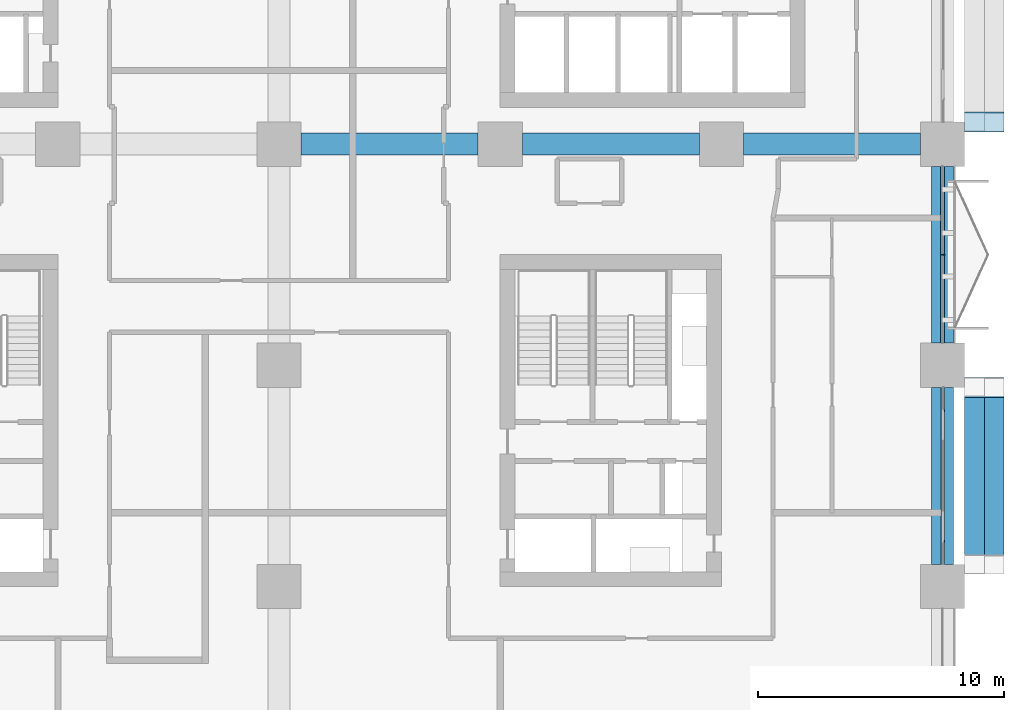
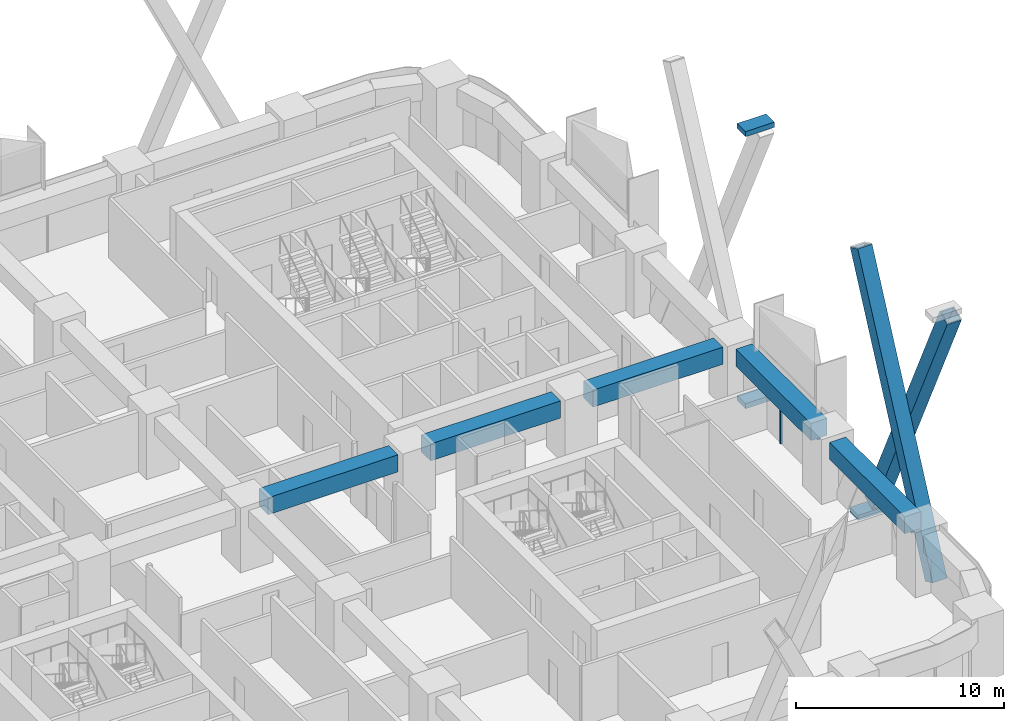
# One storey, part 5 of 23: 8 members, 5 beams, 2 elements without a shape of their own.
"""IFC4 building model written with IfcOpenShell, lengths in metres."""

from ifc_helpers import new_model, si_unit, direction, frame, origin, origin_2d, place, context, subcontext, project, spatial, rectangle, hollow_rectangle, extrude, material, layer, layer_set, material_profile, profile_set, type_object, element, aggregate, save


model = new_model("IFC4")

# Units and contexts
model_context = context("Model", 3, precision=1e-05, world=origin(), true_north=direction((0.0, 1.0)))
body_context = subcontext(model_context, "Body", "Model", "MODEL_VIEW")
ifc_project = project(units=[si_unit("LENGTHUNIT", "METRE"), si_unit("AREAUNIT", "SQUARE_METRE"), si_unit("VOLUMEUNIT", "CUBIC_METRE"), si_unit("PLANEANGLEUNIT", "RADIAN"), si_unit("MASSUNIT", "GRAM", prefix="KILO")], contexts=[model_context])

# Site, building, storey
site_placement = place(None, origin())
site = spatial("IfcSite", under=ifc_project, at=site_placement, CompositionType="ELEMENT")
building_placement = place(site_placement, origin())
building = spatial("IfcBuilding", under=site, at=building_placement, Name="Tessera Arch", CompositionType="ELEMENT")
storey_placement = place(building_placement, frame((0.0, 0.0, 46.199951171875)))
storey = spatial("IfcBuildingStorey", under=building, at=storey_placement, Name="L09", CompositionType="ELEMENT", Elevation=46.199951171875)

# Members
ifc_material_1 = material(Name="Steel A572 Gr50", Category="steel")
ifc_material_profile_1 = material_profile(ifc_material_1, hollow_rectangle(XDim=0.800048828125, YDim=0.800048828125, WallThickness=0.06005859375, at=origin_2d()), Name="BOX 800x800x60")
ifc_profile_set_1 = profile_set([ifc_material_profile_1], Name="Steel A572 Gr50")
member_type_1 = type_object("IfcMemberType", Name="Brace BOX 800x800x60 Steel A572 Gr50", PredefinedType="BRACE", material=ifc_profile_set_1)
for number, where, z_axis, x_axis, name in (
    (1, (55.300048828125, 9.89990234375, -0.800048828125), (0.0, 0.428091336491, 0.903735474363), (-1.0, 0.0, 0.0), "Brace E54.0-1 A L09-L12"),
    (2, (56.10009765625, 17.10009765625, -0.800048828125), (0.0, -0.428091336491, 0.903735474363), (1.0, 0.0, 0.0), "Brace E54.0-1 B L09-L12"),
):
    element("IfcMember", number, at=place(storey_placement, frame(where, z_axis=z_axis, x_axis=x_axis)), inside=storey, type_object=member_type_1, Name=name, PredefinedType="BRACE", context=body_context, shape_type="SweptSolid", body=[
        extrude(hollow_rectangle(XDim=0.800048828125, YDim=0.800048828125, WallThickness=0.06005859375, at=origin_2d()), origin(), (0.0, 0.0, 1.0), 16.8193359375),
    ])

# Curtain wall, members
ifc_material_2 = material(Name="CW1 curtain wall")
curtain_wall_type_1 = type_object("IfcCurtainWallType", Name="CW1 curtain wall", PredefinedType="NOTDEFINED", material=ifc_material_2)
curtain_wall_1_placement = place(storey_placement, origin())
curtain_wall_1 = element("IfcCurtainWall", 3, at=curtain_wall_1_placement, inside=storey, type_object=curtain_wall_type_1, Name="CW1 curtain wall E54.0/2 L09", PredefinedType="NOTDEFINED")
ifc_material_3 = material(Name="Anodised aluminium pale metal", Category="aluminium")
ifc_material_profile_2 = material_profile(ifc_material_3, rectangle(XDim=0.159912109375, YDim=0.06005859375, at=origin_2d()), Name="AL 60x160")
ifc_profile_set_2 = profile_set([ifc_material_profile_2], Name="Anodised aluminium pale metal")
member_type_2 = type_object("IfcMemberType", Name="CW1 mullion", PredefinedType="MULLION", material=ifc_profile_set_2)
member_1_placement = place(storey_placement, frame((54.0, 22.5, 0.0), z_axis=(0.0, 0.0, 1.0), x_axis=(-1.0, 0.0, 0.0)))
member_1 = element("IfcMember", 4, at=member_1_placement, type_object=member_type_2, Name="CW1 mullion E54.0/2 1", PredefinedType="MULLION", context=body_context, shape_type="SweptSolid", body=[
    extrude(rectangle(XDim=0.159912109375, YDim=0.06005859375, at=origin_2d()), origin(), (0.0, 0.0, 1.0), 2.400146484375),
])
ifc_material_4 = material(Name="Anodised aluminium pale metal", Category="aluminium")
ifc_material_profile_3 = material_profile(ifc_material_4, rectangle(XDim=0.159912109375, YDim=0.10009765625, at=origin_2d()), Name="AL 160x100")
ifc_profile_set_3 = profile_set([ifc_material_profile_3], Name="Anodised aluminium pale metal")
member_type_3 = type_object("IfcMemberType", Name="CW1 transom", PredefinedType="USERDEFINED", material=ifc_profile_set_3)
member_2_placement = place(storey_placement, frame((54.0, 18.89990234375, 2.449951171875), z_axis=(0.0, 1.0, 0.0), x_axis=(-1.0, 0.0, 0.0)))
member_2 = element("IfcMember", 5, at=member_2_placement, type_object=member_type_3, Name="CW1 transom E54.0/2 1.1", ObjectType="TRANSOM", PredefinedType="USERDEFINED", context=body_context, shape_type="SweptSolid", body=[
    extrude(rectangle(XDim=0.159912109375, YDim=0.10009765625, at=origin_2d()), origin(), (0.0, 0.0, 1.0), 7.2001953125),
])
aggregate(curtain_wall_1, [member_1, member_2])

# Curtain wall, member
ifc_material_5 = material(Name="CW3 curtain wall")
curtain_wall_type_2 = type_object("IfcCurtainWallType", Name="CW3 curtain wall", PredefinedType="NOTDEFINED", material=ifc_material_5)
curtain_wall_2_placement = place(storey_placement, origin())
curtain_wall_2 = element("IfcCurtainWall", 6, at=curtain_wall_2_placement, inside=storey, type_object=curtain_wall_type_2, Name="CW3 curtain wall E54.0/1 L09", PredefinedType="NOTDEFINED")
ifc_material_6 = material(Name="Anodised aluminium pale metal", Category="aluminium")
ifc_material_profile_4 = material_profile(ifc_material_6, rectangle(XDim=0.139892578125, YDim=0.10009765625, at=origin_2d()), Name="AL 140x100")
ifc_profile_set_4 = profile_set([ifc_material_profile_4], Name="Anodised aluminium pale metal")
member_type_4 = type_object("IfcMemberType", Name="CW3 transom", PredefinedType="USERDEFINED", material=ifc_profile_set_4)
member_3_placement = place(storey_placement, frame((54.0, 9.89990234375, 2.449951171875), z_axis=(0.0, 1.0, 0.0), x_axis=(-1.0, 0.0, 0.0)))
member_3 = element("IfcMember", 7, at=member_3_placement, type_object=member_type_4, Name="CW3 transom E54.0/1 1.1", ObjectType="TRANSOM", PredefinedType="USERDEFINED", context=body_context, shape_type="SweptSolid", body=[
    extrude(rectangle(XDim=0.139892578125, YDim=0.10009765625, at=origin_2d()), origin(), (0.0, 0.0, 1.0), 7.2001953125),
])
aggregate(curtain_wall_2, [member_3])

# Members
ifc_material_7 = material(Name="Steel A572 Gr50", Category="steel")
ifc_layer = layer(ifc_material_7, 0.050048828125)
ifc_layer_set = layer_set([ifc_layer], Name="Node block Steel A572 Gr50")
member_type_5 = type_object("IfcMemberType", Name="Node block Steel A572 Gr50", PredefinedType="PLATE", material=ifc_layer_set)
for number, where, z_axis, x_axis, name in (
    (8, (55.699951171875, 17.10009765625, -1.31640625), (0.0, 0.0, 1.0), (0.0, 1.0, 0.0), "Node block seat E54.0-1 1 L09"),
    (9, (55.699951171875, 27.89990234375, -1.31640625), (0.0, 0.0, 1.0), (0.0, 1.0, 0.0), "Node block seat E54.0-3 2 L09"),
    (10, (55.699951171875, 27.89990234375, 14.6162109375), (0.0, 0.0, 1.0), (0.0, 1.0, 0.0), "Node block head E54.0-3 B L09"),
):
    element("IfcMember", number, at=place(storey_placement, frame(where, z_axis=z_axis, x_axis=x_axis)), inside=storey, type_object=member_type_5, Name=name, PredefinedType="PLATE", context=body_context, shape_type="SweptSolid", body=[
        extrude(rectangle(XDim=0.800048828125, YDim=1.60009765625, at=origin_2d()), origin(), (0.0, 0.0, 1.0), 0.300048828125),
    ])

# Beams
ifc_material_8 = material(Name="Concrete C80/95", Category="concrete")
ifc_material_profile_5 = material_profile(ifc_material_8, rectangle(XDim=0.89990234375, YDim=1.0, at=origin_2d()), Name="RC spandrel beam 900 x 1000 Concrete C80/95")
ifc_profile_set_5 = profile_set([ifc_material_profile_5], Name="Concrete C80/95")
beam_type = type_object("IfcBeamType", Name="RC spandrel beam 900 x 1000 Concrete C80/95", PredefinedType="BEAM", material=ifc_profile_set_5)
for number, where, z_axis, x_axis, name in (
    (11, (54.0, 9.89990234375, 3.0), (0.0, 1.0, 0.0), (-1.0, 0.0, 0.0), "Spandrel beam L09 E54.0/1"),
    (12, (54.0, 18.89990234375, 3.0), (0.0, 1.0, 0.0), (-1.0, 0.0, 0.0), "Spandrel beam L09 E54.0/2"),
    (13, (27.89990234375, 27.0, 3.0), (1.0, 0.0, 0.0), (0.0, 1.0, 0.0), "Interface beam L09 I1C4D-C5D"),
    (14, (36.89990234375, 27.0, 3.0), (1.0, 0.0, 0.0), (0.0, 1.0, 0.0), "Interface beam L09 I1C5D-C6D"),
    (15, (45.89990234375, 27.0, 3.0), (1.0, 0.0, 0.0), (0.0, 1.0, 0.0), "Interface beam L09 I1C6D-C7D"),
):
    element("IfcBeam", number, at=place(storey_placement, frame(where, z_axis=z_axis, x_axis=x_axis)), inside=storey, type_object=beam_type, Name=name, PredefinedType="BEAM", context=body_context, shape_type="SweptSolid", body=[
        extrude(rectangle(XDim=0.89990234375, YDim=1.0, at=origin_2d()), origin(), (0.0, 0.0, 1.0), 7.2001953125),
    ])

save(model, "model.ifc")
